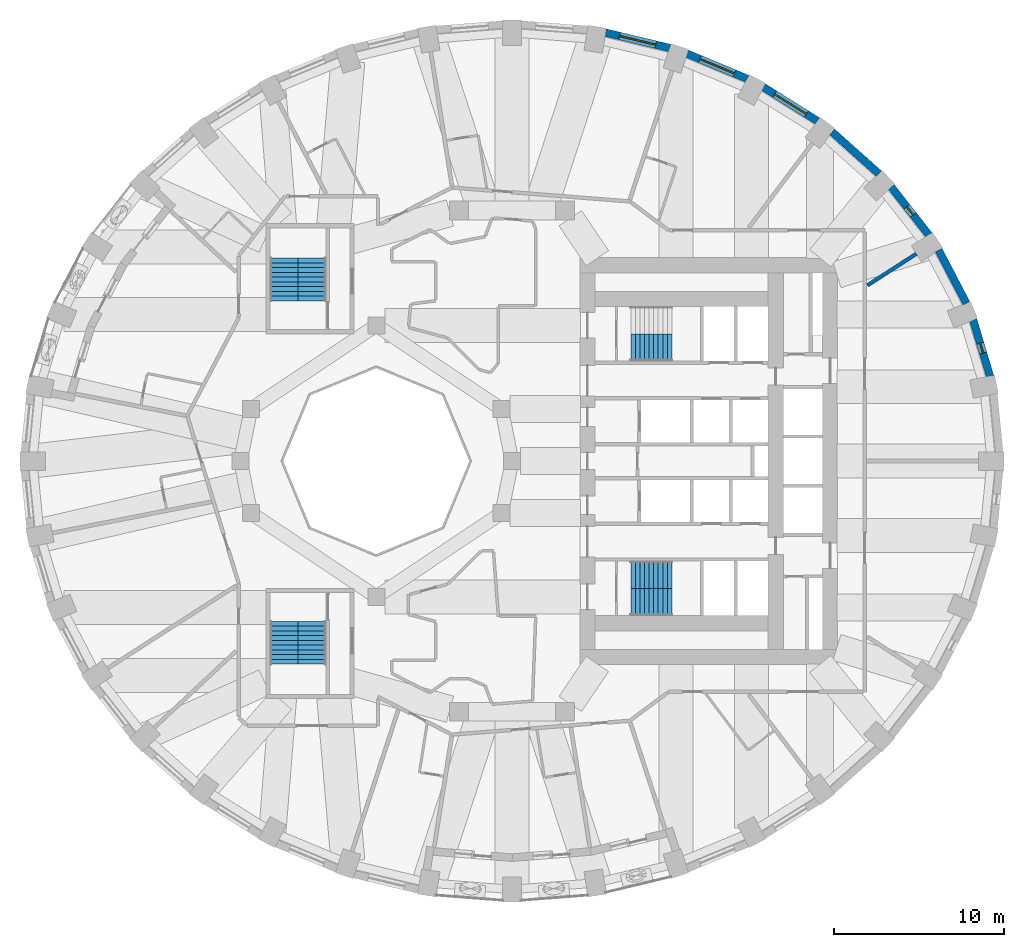
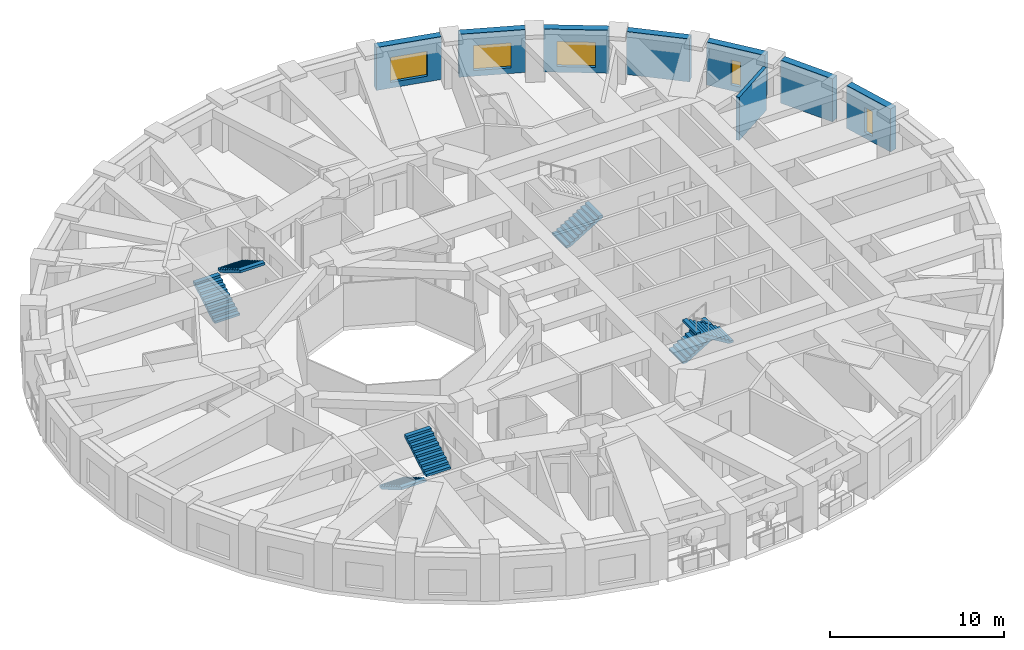
# One storey, part 9 of 13: 8 walls, 7 stair flights, 5 windows, 5 openings, 4 elements without a shape of their own.
"""IFC4 building model written with IfcOpenShell, lengths in metres."""

from ifc_helpers import new_model, si_unit, direction, frame, frame_2d, origin, place, context, subcontext, project, spatial, polyline, rectangle, outline, extrude, material, layer, layer_set, type_object, element, fill, aggregate, save


model = new_model("IFC4")

# Units and contexts
model_context = context("Model", 3, precision=1e-05, world=origin(), true_north=direction((0.0, 1.0)))
body_context = subcontext(model_context, "Body", "Model", "MODEL_VIEW")
ifc_project = project(units=[si_unit("LENGTHUNIT", "METRE"), si_unit("AREAUNIT", "SQUARE_METRE"), si_unit("VOLUMEUNIT", "CUBIC_METRE"), si_unit("PLANEANGLEUNIT", "RADIAN"), si_unit("MASSUNIT", "GRAM", prefix="KILO")], contexts=[model_context])

# Site, building, storey
site_placement = place(None, origin())
site = spatial("IfcSite", under=ifc_project, at=site_placement, CompositionType="ELEMENT")
building_placement = place(site_placement, origin())
building = spatial("IfcBuilding", under=site, at=building_placement, Name="Taillehof Tower", CompositionType="ELEMENT")
storey_placement = place(building_placement, frame((0.0, 0.0, 38.199951171875)))
storey = spatial("IfcBuildingStorey", under=building, at=storey_placement, Name="L09", CompositionType="ELEMENT", Elevation=38.199951171875)

# Wall, opening, window
ifc_material_1 = material(Name="Brick masonry", Category="masonry")
ifc_layer_1 = layer(ifc_material_1, 0.449951171875)
ifc_layer_set_1 = layer_set([ifc_layer_1], Name="Brick infill wall 450")
wall_type_1 = type_object("IfcWallType", Name="Brick infill wall 450", PredefinedType="SOLIDWALL", material=ifc_layer_set_1)
wall_1_placement = place(storey_placement, frame((28.181884765625, 4.995849609375, 0.0), z_axis=(0.0, 0.0, 1.0), x_axis=(-0.287064133733, 0.957911364963, 0.0)))
wall_1 = element("IfcWall", 1, at=wall_1_placement, inside=storey, type_object=wall_type_1, Name="Brick wall L09 bay 2", PredefinedType="SOLIDWALL", context=body_context, shape_type="SweptSolid", body=[
    extrude(rectangle(XDim=3.473388671875, YDim=0.449951171875, at=frame_2d((1.73681640625, 0.0))), origin(), (0.0, 0.0, 1.0), 3.02001953125),
])
opening_1_placement = place(wall_1_placement, frame((1.436767578125, 0.0, 0.39990234375)))
opening_1 = element("IfcOpeningElement", 2, at=opening_1_placement, cuts=wall_1, Name="Opening W6", PredefinedType="OPENING", context=body_context, shape_type="SweptSolid", body=[
    extrude(rectangle(XDim=0.60009765625, YDim=1.75, at=frame_2d((0.300048828125, 0.875))), frame((0.0, 0.23486328125, 0.0), z_axis=(0.0, -1.0, 0.0), x_axis=(1.0, 0.0, 0.0)), (0.0, 0.0, 1.0), 0.469970703125),
])
ifc_material_2 = material(Name="Aluminium window frame with clear double glazing", Category="aluminium")
window_type_1 = type_object("IfcWindowType", Name="Slot window 600x1750", PartitioningType="SINGLE_PANEL", PredefinedType="WINDOW", material=ifc_material_2)
window_1_placement = place(opening_1_placement, origin())
window_1 = element("IfcWindow", 3, at=window_1_placement, inside=storey, type_object=window_type_1, Name="W6", OverallHeight=1.75, OverallWidth=0.60009765625, PartitioningType="SINGLE_PANEL", PredefinedType="WINDOW", context=body_context, shape_type="SweptSolid", body=[
    extrude(rectangle(XDim=0.60009765625, YDim=1.75, at=frame_2d((0.300048828125, 0.875))), frame((0.0, 0.034912109375, 0.0), z_axis=(0.0, -1.0, 0.0), x_axis=(1.0, 0.0, 0.0)), (0.0, 0.0, 1.0), 0.06005859375),
])
fill(opening_1, window_1)

# Wall
wall_2_placement = place(storey_placement, frame((26.78564453125, 9.30517578125, 0.0), z_axis=(0.0, 0.0, 1.0), x_axis=(-0.462492775226, 0.886623050041, 0.0)))
element("IfcWall", 4, at=wall_2_placement, inside=storey, type_object=wall_type_1, Name="Brick wall L09 bay 3", PredefinedType="SOLIDWALL", context=body_context, shape_type="SweptSolid", body=[
    extrude(rectangle(XDim=3.531982421875, YDim=0.449951171875, at=frame_2d((1.76611328125, 0.0))), origin(), (0.0, 0.0, 1.0), 3.02001953125),
])

# Wall, opening, window
wall_3_placement = place(storey_placement, frame((24.57763671875, 13.327880859375, 0.0), z_axis=(0.0, 0.0, 1.0), x_axis=(-0.616661975264, 0.787228053529, 0.0)))
wall_3 = element("IfcWall", 5, at=wall_3_placement, inside=storey, type_object=wall_type_1, Name="Brick wall L09 bay 4", PredefinedType="SOLIDWALL", context=body_context, shape_type="SweptSolid", body=[
    extrude(rectangle(XDim=3.60986328125, YDim=0.449951171875, at=frame_2d((1.804931640625, 0.0))), origin(), (0.0, 0.0, 1.0), 3.02001953125),
])
opening_2_placement = place(wall_3_placement, frame((1.5048828125, 0.0, 0.39990234375)))
opening_2 = element("IfcOpeningElement", 6, at=opening_2_placement, cuts=wall_3, Name="Opening W6", PredefinedType="OPENING", context=body_context, shape_type="SweptSolid", body=[
    extrude(rectangle(XDim=0.60009765625, YDim=1.75, at=frame_2d((0.300048828125, 0.875))), frame((0.0, 0.23486328125, 0.0), z_axis=(0.0, -1.0, 0.0), x_axis=(1.0, 0.0, 0.0)), (0.0, 0.0, 1.0), 0.469970703125),
])
window_2_placement = place(opening_2_placement, origin())
window_2 = element("IfcWindow", 7, at=window_2_placement, inside=storey, type_object=window_type_1, Name="W6", OverallHeight=1.75, OverallWidth=0.60009765625, PartitioningType="SINGLE_PANEL", PredefinedType="WINDOW", context=body_context, shape_type="SweptSolid", body=[
    extrude(rectangle(XDim=0.60009765625, YDim=1.75, at=frame_2d((0.300048828125, 0.875))), frame((0.0, 0.034912109375, 0.0), z_axis=(0.0, -1.0, 0.0), x_axis=(1.0, 0.0, 0.0)), (0.0, 0.0, 1.0), 0.06005859375),
])
fill(opening_2, window_2)

# Wall
wall_4_placement = place(storey_placement, frame((21.626708984375, 16.943115234375, 0.0), z_axis=(0.0, 0.0, 1.0), x_axis=(-0.745526233716, 0.66647628228, 0.0)))
element("IfcWall", 8, at=wall_4_placement, inside=storey, type_object=wall_type_1, Name="Brick wall L09 bay 5", PredefinedType="SOLIDWALL", context=body_context, shape_type="SweptSolid", body=[
    extrude(rectangle(XDim=3.69677734375, YDim=0.449951171875, at=frame_2d((1.848388671875, 0.0))), origin(), (0.0, 0.0, 1.0), 3.02001953125),
])

# Wall, opening, window
wall_5_placement = place(storey_placement, frame((18.02294921875, 20.043701171875, 0.0), z_axis=(0.0, 0.0, 1.0), x_axis=(-0.847635480093, 0.530579016629, 0.0)))
wall_5 = element("IfcWall", 9, at=wall_5_placement, inside=storey, type_object=wall_type_1, Name="Brick wall L09 bay 6", PredefinedType="SOLIDWALL", context=body_context, shape_type="SweptSolid", body=[
    extrude(rectangle(XDim=3.782470703125, YDim=0.449951171875, at=frame_2d((1.89111328125, 0.0))), origin(), (0.0, 0.0, 1.0), 3.02001953125),
])
opening_3_placement = place(wall_5_placement, frame((0.791259765625, 0.0, 0.39990234375)))
opening_3 = element("IfcOpeningElement", 10, at=opening_3_placement, cuts=wall_5, Name="Opening W1", PredefinedType="OPENING", context=body_context, shape_type="SweptSolid", body=[
    extrude(rectangle(XDim=2.199951171875, YDim=1.75, at=frame_2d((1.10009765625, 0.875))), frame((0.0, 0.23486328125, 0.0), z_axis=(0.0, -1.0, 0.0), x_axis=(1.0, 0.0, 0.0)), (0.0, 0.0, 1.0), 0.469970703125),
])
ifc_material_3 = material(Name="Aluminium window frame with clear double glazing", Category="aluminium")
window_type_2 = type_object("IfcWindowType", Name="Deep-set window 2200x1750", PartitioningType="SINGLE_PANEL", PredefinedType="WINDOW", material=ifc_material_3)
window_3_placement = place(opening_3_placement, origin())
window_3 = element("IfcWindow", 11, at=window_3_placement, inside=storey, type_object=window_type_2, Name="W1", OverallHeight=1.75, OverallWidth=2.199951171875, PartitioningType="SINGLE_PANEL", PredefinedType="WINDOW", context=body_context, shape_type="SweptSolid", body=[
    extrude(rectangle(XDim=2.199951171875, YDim=1.75, at=frame_2d((1.10009765625, 0.875))), frame((0.0, 0.034912109375, 0.0), z_axis=(0.0, -1.0, 0.0), x_axis=(1.0, 0.0, 0.0)), (0.0, 0.0, 1.0), 0.06005859375),
])
fill(opening_3, window_3)

wall_6_placement = place(storey_placement, frame((13.875, 22.537353515625, 0.0), z_axis=(0.0, 0.0, 1.0), x_axis=(-0.923031964282, 0.384723267966, 0.0)))
wall_6 = element("IfcWall", 12, at=wall_6_placement, inside=storey, type_object=wall_type_1, Name="Brick wall L09 bay 7", PredefinedType="SOLIDWALL", context=body_context, shape_type="SweptSolid", body=[
    extrude(rectangle(XDim=3.8564453125, YDim=0.449951171875, at=frame_2d((1.92822265625, 0.0))), origin(), (0.0, 0.0, 1.0), 3.02001953125),
])
opening_4_placement = place(wall_6_placement, frame((0.828125, 0.0, 0.39990234375)))
opening_4 = element("IfcOpeningElement", 13, at=opening_4_placement, cuts=wall_6, Name="Opening W1", PredefinedType="OPENING", context=body_context, shape_type="SweptSolid", body=[
    extrude(rectangle(XDim=2.199951171875, YDim=1.75, at=frame_2d((1.10009765625, 0.875))), frame((0.0, 0.23486328125, 0.0), z_axis=(0.0, -1.0, 0.0), x_axis=(1.0, 0.0, 0.0)), (0.0, 0.0, 1.0), 0.469970703125),
])
window_4_placement = place(opening_4_placement, origin())
window_4 = element("IfcWindow", 14, at=window_4_placement, inside=storey, type_object=window_type_2, Name="W1", OverallHeight=1.75, OverallWidth=2.199951171875, PartitioningType="SINGLE_PANEL", PredefinedType="WINDOW", context=body_context, shape_type="SweptSolid", body=[
    extrude(rectangle(XDim=2.199951171875, YDim=1.75, at=frame_2d((1.10009765625, 0.875))), frame((0.0, 0.034912109375, 0.0), z_axis=(0.0, -1.0, 0.0), x_axis=(1.0, 0.0, 0.0)), (0.0, 0.0, 1.0), 0.06005859375),
])
fill(opening_4, window_4)

wall_7_placement = place(storey_placement, frame((9.3076171875, 24.349609375, 0.0), z_axis=(0.0, 0.0, 1.0), x_axis=(-0.972496561493, 0.232917233979, 0.0)))
wall_7 = element("IfcWall", 15, at=wall_7_placement, inside=storey, type_object=wall_type_1, Name="Brick wall L09 bay 8", PredefinedType="SOLIDWALL", context=body_context, shape_type="SweptSolid", body=[
    extrude(rectangle(XDim=3.910888671875, YDim=0.449951171875, at=frame_2d((1.95556640625, 0.0))), origin(), (0.0, 0.0, 1.0), 3.02001953125),
])
opening_5_placement = place(wall_7_placement, frame((0.855224609375, 0.0, 0.39990234375)))
opening_5 = element("IfcOpeningElement", 16, at=opening_5_placement, cuts=wall_7, Name="Opening W1", PredefinedType="OPENING", context=body_context, shape_type="SweptSolid", body=[
    extrude(rectangle(XDim=2.199951171875, YDim=1.75, at=frame_2d((1.10009765625, 0.875))), frame((0.0, 0.23486328125, 0.0), z_axis=(0.0, -1.0, 0.0), x_axis=(1.0, 0.0, 0.0)), (0.0, 0.0, 1.0), 0.469970703125),
])
window_5_placement = place(opening_5_placement, origin())
window_5 = element("IfcWindow", 17, at=window_5_placement, inside=storey, type_object=window_type_2, Name="W1", OverallHeight=1.75, OverallWidth=2.199951171875, PartitioningType="SINGLE_PANEL", PredefinedType="WINDOW", context=body_context, shape_type="SweptSolid", body=[
    extrude(rectangle(XDim=2.199951171875, YDim=1.75, at=frame_2d((1.10009765625, 0.875))), frame((0.0, 0.034912109375, 0.0), z_axis=(0.0, -1.0, 0.0), x_axis=(1.0, 0.0, 0.0)), (0.0, 0.0, 1.0), 0.06005859375),
])
fill(opening_5, window_5)

# Wall
ifc_material_4 = material(Name="Gypsum board on double steel studs with mineral wool", Category="steel")
ifc_layer_2 = layer(ifc_material_4, 0.219970703125)
ifc_layer_set_2 = layer_set([ifc_layer_2], Name="Compartment wall guest room 220")
wall_type_2 = type_object("IfcWallType", Name="Compartment wall guest room 220", PredefinedType="PARTITIONING", material=ifc_layer_set_2)
wall_8_placement = place(storey_placement, frame((23.834716796875, 12.218994140625, 0.0), z_axis=(0.0, 0.0, 1.0), x_axis=(-0.840694872373, -0.541509124176, 0.0)))
element("IfcWall", 18, at=wall_8_placement, inside=storey, type_object=wall_type_2, Name="Compartment wall", PredefinedType="PARTITIONING", context=body_context, shape_type="SweptSolid", body=[
    extrude(rectangle(XDim=3.430419921875, YDim=0.219970703125, at=frame_2d((1.71533203125, 0.0))), origin(), (0.0, 0.0, 1.0), 3.02001953125),
])

# Stair, stair flight
ifc_material_5 = material(Name="Concrete C40/50", Category="concrete")
stair_type = type_object("IfcStairType", Name="Exit stair half-turn", PredefinedType="HALF_TURN_STAIR", material=ifc_material_5)
stair_1_placement = place(storey_placement, origin())
stair_1 = element("IfcStair", 19, at=stair_1_placement, inside=storey, type_object=stair_type, Name="Exit stair S1", PredefinedType="HALF_TURN_STAIR")
ifc_material_6 = material(Name="Concrete C40/50", Category="concrete")
stair_flight_type_1 = type_object("IfcStairFlightType", Name="Stair flight 1600 riser 165.0 going 270", PredefinedType="STRAIGHT", material=ifc_material_6)
stair_flight_1_placement = place(storey_placement, frame((7.0, 6.699951171875, 0.0), z_axis=(0.0, 0.0, 1.0), x_axis=(1.0, 0.0, 0.0)))
stair_flight_1 = element("IfcStairFlight", 20, at=stair_flight_1_placement, type_object=stair_flight_type_1, Name="S1 flight 1", NumberOfRisers=10, NumberOfTreads=9, PredefinedType="STRAIGHT", RiserHeight=0.165, TreadLength=0.27, context=body_context, shape_type="SweptSolid", body=[
    extrude(outline(polyline([(0.0, 0.0), (0.0, 0.00537109375), (0.0, 0.0107421875), (0.0, 0.015869140625), (0.0, 0.021240234375), (0.0, 0.026611328125), (0.0, 0.031982421875), (0.0, 0.037353515625), (0.0, 0.04248046875), (0.0, 0.0478515625), (0.0, 0.05322265625), (0.0, 0.05859375), (0.0, 0.06396484375), (0.0, 0.069091796875), (0.0, 0.074462890625), (0.0, 0.079833984375), (0.0, 0.085205078125), (0.0, 0.090576171875), (0.0, 0.095703125), (0.0, 0.10107421875), (0.0, 0.1064453125), (0.0, 0.11181640625), (0.0, 0.1171875), (0.0, 0.122314453125), (0.0, 0.127685546875), (0.0, 0.133056640625), (0.0, 0.138427734375), (0.0, 0.143798828125), (0.0, 0.14892578125), (0.0, 0.154296875), (0.0, 0.15966796875), (0.0, 0.1650390625), (0.27001953125, 0.1650390625), (0.27001953125, 0.330078125), (0.5400390625, 0.330078125), (0.5400390625, 0.4951171875), (0.81005859375, 0.4951171875), (0.81005859375, 0.659912109375), (1.080078125, 0.659912109375), (1.080078125, 0.824951171875), (1.35009765625, 0.824951171875), (1.35009765625, 0.989990234375), (1.6201171875, 0.989990234375), (1.6201171875, 1.155029296875), (1.889892578125, 1.155029296875), (1.889892578125, 1.320068359375), (2.159912109375, 1.320068359375), (2.159912109375, 1.485107421875), (2.429931640625, 1.485107421875), (2.429931640625, 1.479248046875), (2.429931640625, 1.4736328125), (2.429931640625, 1.468017578125), (2.429931640625, 1.46240234375), (2.429931640625, 1.45654296875), (2.429931640625, 1.450927734375), (2.429931640625, 1.4453125), (2.429931640625, 1.439697265625), (2.429931640625, 1.43408203125), (2.429931640625, 1.42822265625), (2.429931640625, 1.422607421875), (2.429931640625, 1.4169921875), (2.429931640625, 1.411376953125), (2.429931640625, 1.40576171875), (2.429931640625, 1.39990234375), (2.429931640625, 1.394287109375), (2.429931640625, 1.388671875), (2.429931640625, 1.383056640625), (2.429931640625, 1.37744140625), (2.429931640625, 1.37158203125), (2.429931640625, 1.365966796875), (2.429931640625, 1.3603515625), (2.429931640625, 1.354736328125), (2.429931640625, 1.348876953125), (2.429931640625, 1.34326171875), (2.429931640625, 1.337646484375), (2.429931640625, 1.33203125), (2.429931640625, 1.326416015625), (2.429931640625, 1.320556640625), (2.429931640625, 1.31494140625), (2.429931640625, 1.309326171875), (0.287353515625, 0.0), (0.0, 0.0)])), frame((0.0, 0.800048828125, 0.0), z_axis=(0.0, -1.0, 0.0), x_axis=(1.0, 0.0, 0.0)), (0.0, 0.0, 1.0), 1.6),
])
aggregate(stair_1, [stair_flight_1])

# Stair, stair flights
stair_2_placement = place(storey_placement, origin())
stair_2 = element("IfcStair", 21, at=stair_2_placement, inside=storey, type_object=stair_type, Name="Exit stair S2", PredefinedType="HALF_TURN_STAIR")
stair_flight_2_placement = place(storey_placement, frame((7.0, -6.699951171875, 0.0), z_axis=(0.0, 0.0, 1.0), x_axis=(1.0, 0.0, 0.0)))
stair_flight_2 = element("IfcStairFlight", 22, at=stair_flight_2_placement, type_object=stair_flight_type_1, Name="S2 flight 1", NumberOfRisers=10, NumberOfTreads=9, PredefinedType="STRAIGHT", RiserHeight=0.165, TreadLength=0.27, context=body_context, shape_type="SweptSolid", body=[
    extrude(outline(polyline([(0.0, 0.0), (0.0, 0.00537109375), (0.0, 0.0107421875), (0.0, 0.015869140625), (0.0, 0.021240234375), (0.0, 0.026611328125), (0.0, 0.031982421875), (0.0, 0.037353515625), (0.0, 0.04248046875), (0.0, 0.0478515625), (0.0, 0.05322265625), (0.0, 0.05859375), (0.0, 0.06396484375), (0.0, 0.069091796875), (0.0, 0.074462890625), (0.0, 0.079833984375), (0.0, 0.085205078125), (0.0, 0.090576171875), (0.0, 0.095703125), (0.0, 0.10107421875), (0.0, 0.1064453125), (0.0, 0.11181640625), (0.0, 0.1171875), (0.0, 0.122314453125), (0.0, 0.127685546875), (0.0, 0.133056640625), (0.0, 0.138427734375), (0.0, 0.143798828125), (0.0, 0.14892578125), (0.0, 0.154296875), (0.0, 0.15966796875), (0.0, 0.1650390625), (0.27001953125, 0.1650390625), (0.27001953125, 0.330078125), (0.5400390625, 0.330078125), (0.5400390625, 0.4951171875), (0.81005859375, 0.4951171875), (0.81005859375, 0.659912109375), (1.080078125, 0.659912109375), (1.080078125, 0.824951171875), (1.35009765625, 0.824951171875), (1.35009765625, 0.989990234375), (1.6201171875, 0.989990234375), (1.6201171875, 1.155029296875), (1.889892578125, 1.155029296875), (1.889892578125, 1.320068359375), (2.159912109375, 1.320068359375), (2.159912109375, 1.485107421875), (2.429931640625, 1.485107421875), (2.429931640625, 1.479248046875), (2.429931640625, 1.4736328125), (2.429931640625, 1.468017578125), (2.429931640625, 1.46240234375), (2.429931640625, 1.45654296875), (2.429931640625, 1.450927734375), (2.429931640625, 1.4453125), (2.429931640625, 1.439697265625), (2.429931640625, 1.43408203125), (2.429931640625, 1.42822265625), (2.429931640625, 1.422607421875), (2.429931640625, 1.4169921875), (2.429931640625, 1.411376953125), (2.429931640625, 1.40576171875), (2.429931640625, 1.39990234375), (2.429931640625, 1.394287109375), (2.429931640625, 1.388671875), (2.429931640625, 1.383056640625), (2.429931640625, 1.37744140625), (2.429931640625, 1.37158203125), (2.429931640625, 1.365966796875), (2.429931640625, 1.3603515625), (2.429931640625, 1.354736328125), (2.429931640625, 1.348876953125), (2.429931640625, 1.34326171875), (2.429931640625, 1.337646484375), (2.429931640625, 1.33203125), (2.429931640625, 1.326416015625), (2.429931640625, 1.320556640625), (2.429931640625, 1.31494140625), (2.429931640625, 1.309326171875), (0.287353515625, 0.0), (0.0, 0.0)])), frame((0.0, 0.800048828125, 0.0), z_axis=(0.0, -1.0, 0.0), x_axis=(1.0, 0.0, 0.0)), (0.0, 0.0, 1.0), 1.6),
])
stair_flight_3_placement = place(storey_placement, frame((9.429931640625, -8.300048828125, 1.650146484375), z_axis=(0.0, 0.0, 1.0), x_axis=(-1.0, 0.0, 0.0)))
stair_flight_3 = element("IfcStairFlight", 23, at=stair_flight_3_placement, type_object=stair_flight_type_1, Name="S2 flight 2", NumberOfRisers=10, NumberOfTreads=9, PredefinedType="STRAIGHT", RiserHeight=0.165, TreadLength=0.27, context=body_context, shape_type="SweptSolid", body=[
    extrude(outline(polyline([(0.0, 0.0), (0.0, 0.00537109375), (0.0, 0.0107421875), (0.0, 0.015869140625), (0.0, 0.021240234375), (0.0, 0.026611328125), (0.0, 0.031982421875), (0.0, 0.037353515625), (0.0, 0.04248046875), (0.0, 0.0478515625), (0.0, 0.05322265625), (0.0, 0.05859375), (0.0, 0.06396484375), (0.0, 0.069091796875), (0.0, 0.074462890625), (0.0, 0.079833984375), (0.0, 0.085205078125), (0.0, 0.090576171875), (0.0, 0.095703125), (0.0, 0.10107421875), (0.0, 0.1064453125), (0.0, 0.11181640625), (0.0, 0.1171875), (0.0, 0.122314453125), (0.0, 0.127685546875), (0.0, 0.133056640625), (0.0, 0.138427734375), (0.0, 0.143798828125), (0.0, 0.14892578125), (0.0, 0.154296875), (0.0, 0.15966796875), (0.0, 0.1650390625), (0.27001953125, 0.1650390625), (0.27001953125, 0.330078125), (0.5400390625, 0.330078125), (0.5400390625, 0.4951171875), (0.81005859375, 0.4951171875), (0.81005859375, 0.659912109375), (1.080078125, 0.659912109375), (1.080078125, 0.824951171875), (1.35009765625, 0.824951171875), (1.35009765625, 0.989990234375), (1.6201171875, 0.989990234375), (1.6201171875, 1.155029296875), (1.889892578125, 1.155029296875), (1.889892578125, 1.320068359375), (2.159912109375, 1.320068359375), (2.159912109375, 1.485107421875), (2.429931640625, 1.485107421875), (2.429931640625, 1.479248046875), (2.429931640625, 1.4736328125), (2.429931640625, 1.468017578125), (2.429931640625, 1.46240234375), (2.429931640625, 1.45654296875), (2.429931640625, 1.450927734375), (2.429931640625, 1.4453125), (2.429931640625, 1.439697265625), (2.429931640625, 1.43408203125), (2.429931640625, 1.42822265625), (2.429931640625, 1.422607421875), (2.429931640625, 1.4169921875), (2.429931640625, 1.411376953125), (2.429931640625, 1.40576171875), (2.429931640625, 1.39990234375), (2.429931640625, 1.394287109375), (2.429931640625, 1.388671875), (2.429931640625, 1.383056640625), (2.429931640625, 1.37744140625), (2.429931640625, 1.37158203125), (2.429931640625, 1.365966796875), (2.429931640625, 1.3603515625), (2.429931640625, 1.354736328125), (2.429931640625, 1.348876953125), (2.429931640625, 1.34326171875), (2.429931640625, 1.337646484375), (2.429931640625, 1.33203125), (2.429931640625, 1.326416015625), (2.429931640625, 1.320556640625), (2.429931640625, 1.31494140625), (2.429931640625, 1.309326171875), (0.287353515625, 0.0), (0.0, 0.0)])), frame((0.0, 0.800048828125, 0.0), z_axis=(0.0, -1.0, 0.0), x_axis=(1.0, 0.0, 0.0)), (0.0, 0.0, 1.0), 1.6),
])
aggregate(stair_2, [stair_flight_2, stair_flight_3])

stair_3_placement = place(storey_placement, origin())
stair_3 = element("IfcStair", 24, at=stair_3_placement, inside=storey, type_object=stair_type, Name="Exit stair S3", PredefinedType="HALF_TURN_STAIR")
ifc_material_7 = material(Name="Concrete C40/50", Category="concrete")
stair_flight_type_2 = type_object("IfcStairFlightType", Name="Stair flight 1650 riser 165.0 going 280", PredefinedType="STRAIGHT", material=ifc_material_7)
stair_flight_4_placement = place(storey_placement, frame((-13.425048828125, 9.449951171875, 0.0), z_axis=(0.0, 0.0, 1.0), x_axis=(0.0, 1.0, 0.0)))
stair_flight_4 = element("IfcStairFlight", 25, at=stair_flight_4_placement, type_object=stair_flight_type_2, Name="S3 flight 1", NumberOfRisers=10, NumberOfTreads=9, PredefinedType="STRAIGHT", RiserHeight=0.165, TreadLength=0.28, context=body_context, shape_type="SweptSolid", body=[
    extrude(outline(polyline([(0.0, 0.0), (0.0, 0.00537109375), (0.0, 0.0107421875), (0.0, 0.015869140625), (0.0, 0.021240234375), (0.0, 0.026611328125), (0.0, 0.031982421875), (0.0, 0.037353515625), (0.0, 0.04248046875), (0.0, 0.0478515625), (0.0, 0.05322265625), (0.0, 0.05859375), (0.0, 0.06396484375), (0.0, 0.069091796875), (0.0, 0.074462890625), (0.0, 0.079833984375), (0.0, 0.085205078125), (0.0, 0.090576171875), (0.0, 0.095703125), (0.0, 0.10107421875), (0.0, 0.1064453125), (0.0, 0.11181640625), (0.0, 0.1171875), (0.0, 0.122314453125), (0.0, 0.127685546875), (0.0, 0.133056640625), (0.0, 0.138427734375), (0.0, 0.143798828125), (0.0, 0.14892578125), (0.0, 0.154296875), (0.0, 0.15966796875), (0.0, 0.1650390625), (0.280029296875, 0.1650390625), (0.280029296875, 0.330078125), (0.56005859375, 0.330078125), (0.56005859375, 0.4951171875), (0.840087890625, 0.4951171875), (0.840087890625, 0.659912109375), (1.1201171875, 0.659912109375), (1.1201171875, 0.824951171875), (1.39990234375, 0.824951171875), (1.39990234375, 0.989990234375), (1.679931640625, 0.989990234375), (1.679931640625, 1.155029296875), (1.9599609375, 1.155029296875), (1.9599609375, 1.320068359375), (2.239990234375, 1.320068359375), (2.239990234375, 1.485107421875), (2.52001953125, 1.485107421875), (2.52001953125, 1.4794921875), (2.52001953125, 1.473876953125), (2.52001953125, 1.46826171875), (2.52001953125, 1.462646484375), (2.52001953125, 1.45703125), (2.52001953125, 1.451416015625), (2.52001953125, 1.44580078125), (2.52001953125, 1.440185546875), (2.52001953125, 1.4345703125), (2.52001953125, 1.428955078125), (2.52001953125, 1.42333984375), (2.52001953125, 1.417724609375), (2.52001953125, 1.412109375), (2.52001953125, 1.406494140625), (2.52001953125, 1.40087890625), (2.52001953125, 1.395263671875), (2.52001953125, 1.3896484375), (2.52001953125, 1.384033203125), (2.52001953125, 1.37841796875), (2.52001953125, 1.372802734375), (2.52001953125, 1.3671875), (2.52001953125, 1.361572265625), (2.52001953125, 1.35595703125), (2.52001953125, 1.350341796875), (2.52001953125, 1.3447265625), (2.52001953125, 1.339111328125), (2.52001953125, 1.33349609375), (2.52001953125, 1.327880859375), (2.52001953125, 1.322265625), (2.52001953125, 1.316650390625), (2.52001953125, 1.31103515625), (0.295166015625, 0.0), (0.0, 0.0)])), frame((0.0, 0.824951171875, 0.0), z_axis=(0.0, -1.0, 0.0), x_axis=(1.0, 0.0, 0.0)), (0.0, 0.0, 1.0), 1.65),
])
stair_flight_5_placement = place(storey_placement, frame((-11.77490234375, 11.969970703125, 1.650146484375), z_axis=(0.0, 0.0, 1.0), x_axis=(0.0, -1.0, 0.0)))
stair_flight_5 = element("IfcStairFlight", 26, at=stair_flight_5_placement, type_object=stair_flight_type_2, Name="S3 flight 2", NumberOfRisers=10, NumberOfTreads=9, PredefinedType="STRAIGHT", RiserHeight=0.165, TreadLength=0.28, context=body_context, shape_type="SweptSolid", body=[
    extrude(outline(polyline([(0.0, 0.0), (0.0, 0.00537109375), (0.0, 0.0107421875), (0.0, 0.015869140625), (0.0, 0.021240234375), (0.0, 0.026611328125), (0.0, 0.031982421875), (0.0, 0.037353515625), (0.0, 0.04248046875), (0.0, 0.0478515625), (0.0, 0.05322265625), (0.0, 0.05859375), (0.0, 0.06396484375), (0.0, 0.069091796875), (0.0, 0.074462890625), (0.0, 0.079833984375), (0.0, 0.085205078125), (0.0, 0.090576171875), (0.0, 0.095703125), (0.0, 0.10107421875), (0.0, 0.1064453125), (0.0, 0.11181640625), (0.0, 0.1171875), (0.0, 0.122314453125), (0.0, 0.127685546875), (0.0, 0.133056640625), (0.0, 0.138427734375), (0.0, 0.143798828125), (0.0, 0.14892578125), (0.0, 0.154296875), (0.0, 0.15966796875), (0.0, 0.1650390625), (0.280029296875, 0.1650390625), (0.280029296875, 0.330078125), (0.56005859375, 0.330078125), (0.56005859375, 0.4951171875), (0.840087890625, 0.4951171875), (0.840087890625, 0.659912109375), (1.1201171875, 0.659912109375), (1.1201171875, 0.824951171875), (1.39990234375, 0.824951171875), (1.39990234375, 0.989990234375), (1.679931640625, 0.989990234375), (1.679931640625, 1.155029296875), (1.9599609375, 1.155029296875), (1.9599609375, 1.320068359375), (2.239990234375, 1.320068359375), (2.239990234375, 1.485107421875), (2.52001953125, 1.485107421875), (2.52001953125, 1.4794921875), (2.52001953125, 1.473876953125), (2.52001953125, 1.46826171875), (2.52001953125, 1.462646484375), (2.52001953125, 1.45703125), (2.52001953125, 1.451416015625), (2.52001953125, 1.44580078125), (2.52001953125, 1.440185546875), (2.52001953125, 1.4345703125), (2.52001953125, 1.428955078125), (2.52001953125, 1.42333984375), (2.52001953125, 1.417724609375), (2.52001953125, 1.412109375), (2.52001953125, 1.406494140625), (2.52001953125, 1.40087890625), (2.52001953125, 1.395263671875), (2.52001953125, 1.3896484375), (2.52001953125, 1.384033203125), (2.52001953125, 1.37841796875), (2.52001953125, 1.372802734375), (2.52001953125, 1.3671875), (2.52001953125, 1.361572265625), (2.52001953125, 1.35595703125), (2.52001953125, 1.350341796875), (2.52001953125, 1.3447265625), (2.52001953125, 1.339111328125), (2.52001953125, 1.33349609375), (2.52001953125, 1.327880859375), (2.52001953125, 1.322265625), (2.52001953125, 1.316650390625), (2.52001953125, 1.31103515625), (0.295166015625, 0.0), (0.0, 0.0)])), frame((0.0, 0.824951171875, 0.0), z_axis=(0.0, -1.0, 0.0), x_axis=(1.0, 0.0, 0.0)), (0.0, 0.0, 1.0), 1.65),
])
aggregate(stair_3, [stair_flight_4, stair_flight_5])

stair_4_placement = place(storey_placement, origin())
stair_4 = element("IfcStair", 27, at=stair_4_placement, inside=storey, type_object=stair_type, Name="Exit stair S4", PredefinedType="HALF_TURN_STAIR")
stair_flight_6_placement = place(storey_placement, frame((-13.425048828125, -9.449951171875, 0.0), z_axis=(0.0, 0.0, 1.0), x_axis=(0.0, -1.0, 0.0)))
stair_flight_6 = element("IfcStairFlight", 28, at=stair_flight_6_placement, type_object=stair_flight_type_2, Name="S4 flight 1", NumberOfRisers=10, NumberOfTreads=9, PredefinedType="STRAIGHT", RiserHeight=0.165, TreadLength=0.28, context=body_context, shape_type="SweptSolid", body=[
    extrude(outline(polyline([(0.0, 0.0), (0.0, 0.00537109375), (0.0, 0.0107421875), (0.0, 0.015869140625), (0.0, 0.021240234375), (0.0, 0.026611328125), (0.0, 0.031982421875), (0.0, 0.037353515625), (0.0, 0.04248046875), (0.0, 0.0478515625), (0.0, 0.05322265625), (0.0, 0.05859375), (0.0, 0.06396484375), (0.0, 0.069091796875), (0.0, 0.074462890625), (0.0, 0.079833984375), (0.0, 0.085205078125), (0.0, 0.090576171875), (0.0, 0.095703125), (0.0, 0.10107421875), (0.0, 0.1064453125), (0.0, 0.11181640625), (0.0, 0.1171875), (0.0, 0.122314453125), (0.0, 0.127685546875), (0.0, 0.133056640625), (0.0, 0.138427734375), (0.0, 0.143798828125), (0.0, 0.14892578125), (0.0, 0.154296875), (0.0, 0.15966796875), (0.0, 0.1650390625), (0.280029296875, 0.1650390625), (0.280029296875, 0.330078125), (0.56005859375, 0.330078125), (0.56005859375, 0.4951171875), (0.840087890625, 0.4951171875), (0.840087890625, 0.659912109375), (1.1201171875, 0.659912109375), (1.1201171875, 0.824951171875), (1.39990234375, 0.824951171875), (1.39990234375, 0.989990234375), (1.679931640625, 0.989990234375), (1.679931640625, 1.155029296875), (1.9599609375, 1.155029296875), (1.9599609375, 1.320068359375), (2.239990234375, 1.320068359375), (2.239990234375, 1.485107421875), (2.52001953125, 1.485107421875), (2.52001953125, 1.4794921875), (2.52001953125, 1.473876953125), (2.52001953125, 1.46826171875), (2.52001953125, 1.462646484375), (2.52001953125, 1.45703125), (2.52001953125, 1.451416015625), (2.52001953125, 1.44580078125), (2.52001953125, 1.440185546875), (2.52001953125, 1.4345703125), (2.52001953125, 1.428955078125), (2.52001953125, 1.42333984375), (2.52001953125, 1.417724609375), (2.52001953125, 1.412109375), (2.52001953125, 1.406494140625), (2.52001953125, 1.40087890625), (2.52001953125, 1.395263671875), (2.52001953125, 1.3896484375), (2.52001953125, 1.384033203125), (2.52001953125, 1.37841796875), (2.52001953125, 1.372802734375), (2.52001953125, 1.3671875), (2.52001953125, 1.361572265625), (2.52001953125, 1.35595703125), (2.52001953125, 1.350341796875), (2.52001953125, 1.3447265625), (2.52001953125, 1.339111328125), (2.52001953125, 1.33349609375), (2.52001953125, 1.327880859375), (2.52001953125, 1.322265625), (2.52001953125, 1.316650390625), (2.52001953125, 1.31103515625), (0.295166015625, 0.0), (0.0, 0.0)])), frame((0.0, 0.824951171875, 0.0), z_axis=(0.0, -1.0, 0.0), x_axis=(1.0, 0.0, 0.0)), (0.0, 0.0, 1.0), 1.65),
])
stair_flight_7_placement = place(storey_placement, frame((-11.77490234375, -11.969970703125, 1.650146484375), z_axis=(0.0, 0.0, 1.0), x_axis=(0.0, 1.0, 0.0)))
stair_flight_7 = element("IfcStairFlight", 29, at=stair_flight_7_placement, type_object=stair_flight_type_2, Name="S4 flight 2", NumberOfRisers=10, NumberOfTreads=9, PredefinedType="STRAIGHT", RiserHeight=0.165, TreadLength=0.28, context=body_context, shape_type="SweptSolid", body=[
    extrude(outline(polyline([(0.0, 0.0), (0.0, 0.00537109375), (0.0, 0.0107421875), (0.0, 0.015869140625), (0.0, 0.021240234375), (0.0, 0.026611328125), (0.0, 0.031982421875), (0.0, 0.037353515625), (0.0, 0.04248046875), (0.0, 0.0478515625), (0.0, 0.05322265625), (0.0, 0.05859375), (0.0, 0.06396484375), (0.0, 0.069091796875), (0.0, 0.074462890625), (0.0, 0.079833984375), (0.0, 0.085205078125), (0.0, 0.090576171875), (0.0, 0.095703125), (0.0, 0.10107421875), (0.0, 0.1064453125), (0.0, 0.11181640625), (0.0, 0.1171875), (0.0, 0.122314453125), (0.0, 0.127685546875), (0.0, 0.133056640625), (0.0, 0.138427734375), (0.0, 0.143798828125), (0.0, 0.14892578125), (0.0, 0.154296875), (0.0, 0.15966796875), (0.0, 0.1650390625), (0.280029296875, 0.1650390625), (0.280029296875, 0.330078125), (0.56005859375, 0.330078125), (0.56005859375, 0.4951171875), (0.840087890625, 0.4951171875), (0.840087890625, 0.659912109375), (1.1201171875, 0.659912109375), (1.1201171875, 0.824951171875), (1.39990234375, 0.824951171875), (1.39990234375, 0.989990234375), (1.679931640625, 0.989990234375), (1.679931640625, 1.155029296875), (1.9599609375, 1.155029296875), (1.9599609375, 1.320068359375), (2.239990234375, 1.320068359375), (2.239990234375, 1.485107421875), (2.52001953125, 1.485107421875), (2.52001953125, 1.4794921875), (2.52001953125, 1.473876953125), (2.52001953125, 1.46826171875), (2.52001953125, 1.462646484375), (2.52001953125, 1.45703125), (2.52001953125, 1.451416015625), (2.52001953125, 1.44580078125), (2.52001953125, 1.440185546875), (2.52001953125, 1.4345703125), (2.52001953125, 1.428955078125), (2.52001953125, 1.42333984375), (2.52001953125, 1.417724609375), (2.52001953125, 1.412109375), (2.52001953125, 1.406494140625), (2.52001953125, 1.40087890625), (2.52001953125, 1.395263671875), (2.52001953125, 1.3896484375), (2.52001953125, 1.384033203125), (2.52001953125, 1.37841796875), (2.52001953125, 1.372802734375), (2.52001953125, 1.3671875), (2.52001953125, 1.361572265625), (2.52001953125, 1.35595703125), (2.52001953125, 1.350341796875), (2.52001953125, 1.3447265625), (2.52001953125, 1.339111328125), (2.52001953125, 1.33349609375), (2.52001953125, 1.327880859375), (2.52001953125, 1.322265625), (2.52001953125, 1.316650390625), (2.52001953125, 1.31103515625), (0.295166015625, 0.0), (0.0, 0.0)])), frame((0.0, 0.824951171875, 0.0), z_axis=(0.0, -1.0, 0.0), x_axis=(1.0, 0.0, 0.0)), (0.0, 0.0, 1.0), 1.65),
])
aggregate(stair_4, [stair_flight_6, stair_flight_7])

save(model, "model.ifc")
